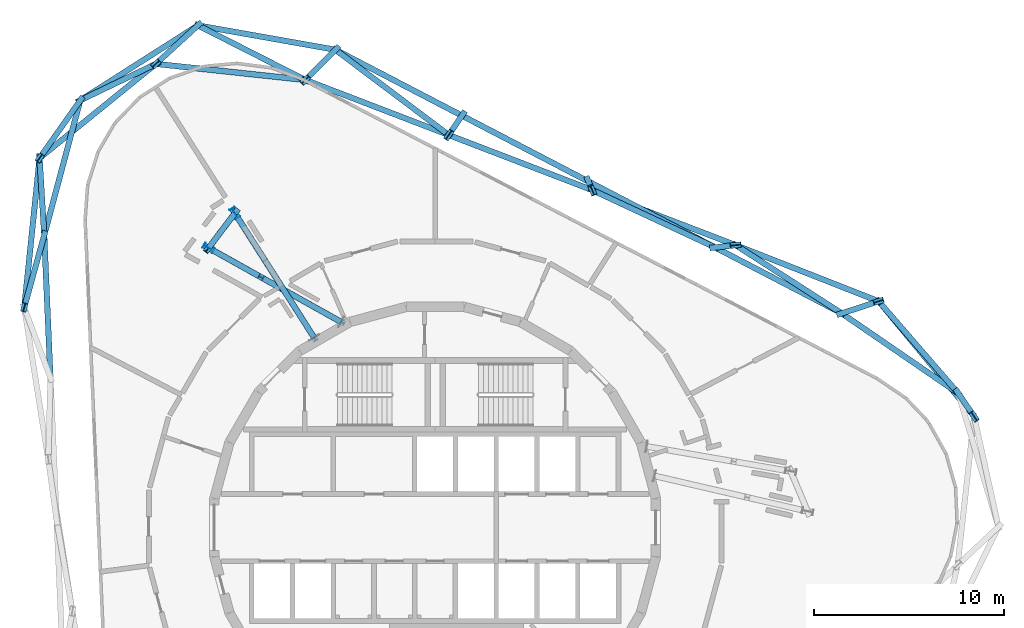
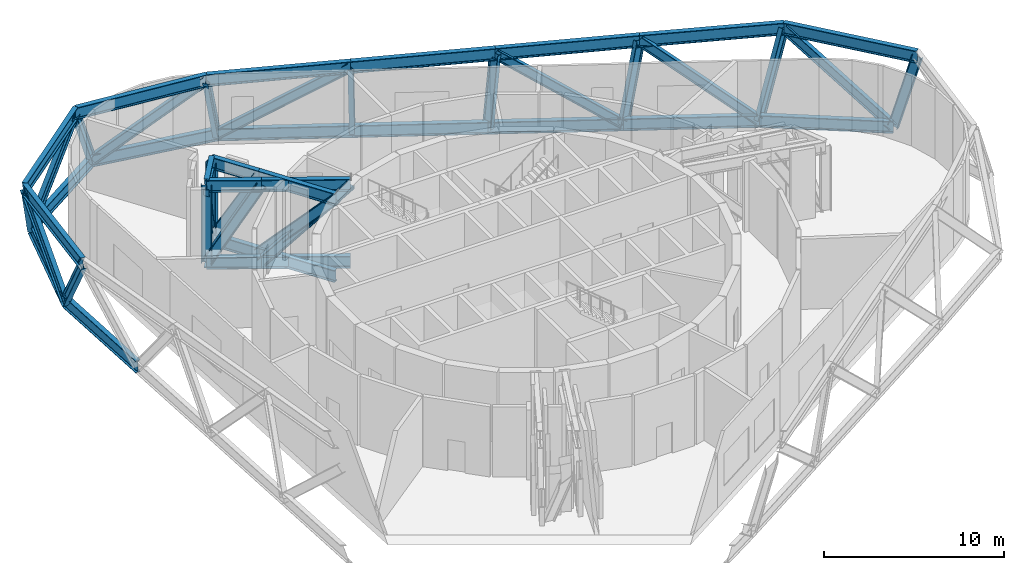
# One storey, part 3 of 12: 50 members.
"""IFC4 building model written with IfcOpenShell, lengths in metres."""

from ifc_helpers import new_model, si_unit, direction, frame, origin, origin_2d, place, context, subcontext, project, spatial, i_section, extrude, material, material_profile, profile_set, type_object, element, save


model = new_model("IFC4")

# Units and contexts
model_context = context("Model", 3, precision=1e-05, world=origin(), true_north=direction((0.0, 1.0)))
body_context = subcontext(model_context, "Body", "Model", "MODEL_VIEW")
ifc_project = project(units=[si_unit("LENGTHUNIT", "METRE"), si_unit("AREAUNIT", "SQUARE_METRE"), si_unit("VOLUMEUNIT", "CUBIC_METRE"), si_unit("PLANEANGLEUNIT", "RADIAN"), si_unit("MASSUNIT", "GRAM", prefix="KILO")], contexts=[model_context])

# Site, building, storey
site_placement = place(None, origin())
site = spatial("IfcSite", under=ifc_project, at=site_placement, CompositionType="ELEMENT")
building_placement = place(site_placement, origin())
building = spatial("IfcBuilding", under=site, at=building_placement, Name="Spindle Arch Residences", CompositionType="ELEMENT")
storey_placement = place(building_placement, frame((0.0, 0.0, 258.199951171875)))
storey = spatial("IfcBuildingStorey", under=building, at=storey_placement, Name="L66", CompositionType="ELEMENT", Elevation=258.199951171875)

# Members
ifc_material_1 = material(Name="Steel S460ML, intumescent coating R 240", Category="steel")
ifc_material_profile_1 = material_profile(ifc_material_1, i_section(OverallWidth=0.302978515625, OverallDepth=0.81396484375, WebThickness=0.02099609375, FlangeThickness=0.0400390625, FilletRadius=0.030029296875, at=origin_2d()), Name="HEM 800")
ifc_profile_set_1 = profile_set([ifc_material_profile_1], Name="Steel S460ML, intumescent coating R 240")
member_type_1 = type_object("IfcMemberType", Name="Belt truss chord HEM 800", PredefinedType="CHORD", material=ifc_profile_set_1)
member_1_placement = place(storey_placement, frame((27.598388671875, 7.089599609375, -0.85693359375), z_axis=(-0.824607095319, 0.565705876184, 0.0), x_axis=(-0.565705876184, -0.824607095319, 0.0)))
element("IfcMember", 1, at=member_1_placement, inside=storey, type_object=member_type_1, Name="Belt truss bottom chord L66.5", PredefinedType="CHORD", context=body_context, shape_type="SweptSolid", body=[
    extrude(i_section(OverallWidth=0.302978515625, OverallDepth=0.81396484375, WebThickness=0.02099609375, FlangeThickness=0.0400390625, FilletRadius=0.030029296875, at=origin_2d()), origin(), (0.0, 0.0, 1.0), 7.456298828125),
])
member_2_placement = place(storey_placement, frame((21.449951171875, 11.3076171875, -0.85693359375), z_axis=(-0.887019775052, 0.46173143565, 0.0), x_axis=(-0.46173143565, -0.887019775052, 0.0)))
element("IfcMember", 2, at=member_2_placement, inside=storey, type_object=member_type_1, Name="Belt truss bottom chord L66.6", PredefinedType="CHORD", context=body_context, shape_type="SweptSolid", body=[
    extrude(i_section(OverallWidth=0.302978515625, OverallDepth=0.81396484375, WebThickness=0.02099609375, FlangeThickness=0.0400390625, FilletRadius=0.030029296875, at=origin_2d()), origin(), (0.0, 0.0, 1.0), 7.530029296875),
])
member_3_placement = place(storey_placement, frame((14.770751953125, 14.784423828125, -0.85693359375), z_axis=(-0.887013408436, 0.461743666177, 0.0), x_axis=(-0.461743666177, -0.887013408436, 0.0)))
element("IfcMember", 3, at=member_3_placement, inside=storey, type_object=member_type_1, Name="Belt truss bottom chord L66.7", PredefinedType="CHORD", context=body_context, shape_type="SweptSolid", body=[
    extrude(i_section(OverallWidth=0.302978515625, OverallDepth=0.81396484375, WebThickness=0.02099609375, FlangeThickness=0.0400390625, FilletRadius=0.030029296875, at=origin_2d()), origin(), (0.0, 0.0, 1.0), 7.5302734375),
])
for number, where, z_axis, x_axis, name in (
    (4, (8.09130859375, 18.261474609375, -0.85693359375), (-0.88700649569, 0.461756945377, 0.0), (-0.461756945377, -0.88700649569, 0.0), "Belt truss bottom chord L66.8"),
    (5, (1.412109375, 21.738525390625, -0.85693359375), (-0.88700649569, 0.461756945377, 0.0), (-0.461756945377, -0.88700649569, 0.0), "Belt truss bottom chord L66.9"),
):
    element("IfcMember", number, at=place(storey_placement, frame(where, z_axis=z_axis, x_axis=x_axis)), inside=storey, type_object=member_type_1, Name=name, PredefinedType="CHORD", context=body_context, shape_type="SweptSolid", body=[
        extrude(i_section(OverallWidth=0.302978515625, OverallDepth=0.81396484375, WebThickness=0.02099609375, FlangeThickness=0.0400390625, FilletRadius=0.030029296875, at=origin_2d()), origin(), (0.0, 0.0, 1.0), 7.530029296875),
    ])
member_4_placement = place(storey_placement, frame((-5.26708984375, 25.215576171875, -0.85693359375), z_axis=(-0.984722428321, 0.17413138477, 0.0), x_axis=(-0.17413138477, -0.984722428321, 0.0)))
element("IfcMember", 6, at=member_4_placement, inside=storey, type_object=member_type_1, Name="Belt truss bottom chord L66.10", PredefinedType="CHORD", context=body_context, shape_type="SweptSolid", body=[
    extrude(i_section(OverallWidth=0.302978515625, OverallDepth=0.81396484375, WebThickness=0.02099609375, FlangeThickness=0.0400390625, FilletRadius=0.030029296875, at=origin_2d()), origin(), (0.0, 0.0, 1.0), 7.364990234375),
])
member_5_placement = place(storey_placement, frame((-12.51953125, 26.498046875, -0.85693359375), z_axis=(-0.843393561308, -0.53729628767, 0.0), x_axis=(0.53729628767, -0.843393561308, 0.0)))
element("IfcMember", 7, at=member_5_placement, inside=storey, type_object=member_type_1, Name="Belt truss bottom chord L66.11", PredefinedType="CHORD", context=body_context, shape_type="SweptSolid", body=[
    extrude(i_section(OverallWidth=0.302978515625, OverallDepth=0.81396484375, WebThickness=0.02099609375, FlangeThickness=0.0400390625, FilletRadius=0.030029296875, at=origin_2d()), origin(), (0.0, 0.0, 1.0), 7.35693359375),
])
member_6_placement = place(storey_placement, frame((-18.724365234375, 22.545166015625, -0.85693359375), z_axis=(-0.258329004998, -0.966056998928, 0.0), x_axis=(0.966056998928, -0.258329004998, 0.0)))
element("IfcMember", 8, at=member_6_placement, inside=storey, type_object=member_type_1, Name="Belt truss bottom chord L66.12", PredefinedType="CHORD", context=body_context, shape_type="SweptSolid", body=[
    extrude(i_section(OverallWidth=0.302978515625, OverallDepth=0.81396484375, WebThickness=0.02099609375, FlangeThickness=0.0400390625, FilletRadius=0.030029296875, at=origin_2d()), origin(), (0.0, 0.0, 1.0), 7.364990234375),
])
member_7_placement = place(storey_placement, frame((-20.626953125, 15.43017578125, -0.85693359375), z_axis=(0.043607469261, -0.999048741866, 0.0), x_axis=(0.999048741866, 0.043607469261, 0.0)))
element("IfcMember", 9, at=member_7_placement, inside=storey, type_object=member_type_1, Name="Belt truss bottom chord L66.13", PredefinedType="CHORD", context=body_context, shape_type="SweptSolid", body=[
    extrude(i_section(OverallWidth=0.302978515625, OverallDepth=0.81396484375, WebThickness=0.02099609375, FlangeThickness=0.0400390625, FilletRadius=0.030029296875, at=origin_2d()), origin(), (0.0, 0.0, 1.0), 7.530029296875),
])
member_8_placement = place(storey_placement, frame((28.43505859375, 5.86767578125, 4.343017578125), z_axis=(-0.63825315383, 0.769826546455, 0.0), x_axis=(-0.769826546455, -0.63825315383, 0.0)))
element("IfcMember", 10, at=member_8_placement, inside=storey, type_object=member_type_1, Name="Belt truss top chord L66.4", PredefinedType="CHORD", context=body_context, shape_type="SweptSolid", body=[
    extrude(i_section(OverallWidth=0.302978515625, OverallDepth=0.81396484375, WebThickness=0.02099609375, FlangeThickness=0.0400390625, FilletRadius=0.030029296875, at=origin_2d()), origin(), (0.0, 0.0, 1.0), 7.8916015625),
])
member_9_placement = place(storey_placement, frame((23.398193359375, 11.94287109375, 4.343017578125), z_axis=(-0.930817743536, 0.365483690906, 0.0), x_axis=(-0.365483690906, -0.930817743536, 0.0)))
element("IfcMember", 11, at=member_9_placement, inside=storey, type_object=member_type_1, Name="Belt truss top chord L66.5", PredefinedType="CHORD", context=body_context, shape_type="SweptSolid", body=[
    extrude(i_section(OverallWidth=0.302978515625, OverallDepth=0.81396484375, WebThickness=0.02099609375, FlangeThickness=0.0400390625, FilletRadius=0.030029296875, at=origin_2d()), origin(), (0.0, 0.0, 1.0), 8.10546875),
])
member_10_placement = place(storey_placement, frame((15.853515625, 14.9052734375, 4.343017578125), z_axis=(-0.933583655709, 0.358359537047, 0.0), x_axis=(-0.358359537047, -0.933583655709, 0.0)))
element("IfcMember", 12, at=member_10_placement, inside=storey, type_object=member_type_1, Name="Belt truss top chord L66.6", PredefinedType="CHORD", context=body_context, shape_type="SweptSolid", body=[
    extrude(i_section(OverallWidth=0.302978515625, OverallDepth=0.81396484375, WebThickness=0.02099609375, FlangeThickness=0.0400390625, FilletRadius=0.030029296875, at=origin_2d()), origin(), (0.0, 0.0, 1.0), 8.10791015625),
])
for number, where, z_axis, x_axis, name in (
    (13, (8.2841796875, 17.810791015625, 4.343017578125), (-0.933579788553, 0.358369611443, 0.0), (-0.358369611443, -0.933579788553, 0.0), "Belt truss top chord L66.7"),
    (14, (0.715087890625, 20.71630859375, 4.343017578125), (-0.933579788553, 0.358369611443, 0.0), (-0.358369611443, -0.933579788553, 0.0), "Belt truss top chord L66.8"),
):
    element("IfcMember", number, at=place(storey_placement, frame(where, z_axis=z_axis, x_axis=x_axis)), inside=storey, type_object=member_type_1, Name=name, PredefinedType="CHORD", context=body_context, shape_type="SweptSolid", body=[
        extrude(i_section(OverallWidth=0.302978515625, OverallDepth=0.81396484375, WebThickness=0.02099609375, FlangeThickness=0.0400390625, FilletRadius=0.030029296875, at=origin_2d()), origin(), (0.0, 0.0, 1.0), 8.107666015625),
    ])
member_11_placement = place(storey_placement, frame((-6.85400390625, 23.621826171875, 4.343017578125), z_axis=(-0.994275321982, 0.106848416453, 0.0), x_axis=(-0.106848416453, -0.994275321982, 0.0)))
element("IfcMember", 15, at=member_11_placement, inside=storey, type_object=member_type_1, Name="Belt truss top chord L66.9", PredefinedType="CHORD", context=body_context, shape_type="SweptSolid", body=[
    extrude(i_section(OverallWidth=0.302978515625, OverallDepth=0.81396484375, WebThickness=0.02099609375, FlangeThickness=0.0400390625, FilletRadius=0.030029296875, at=origin_2d()), origin(), (0.0, 0.0, 1.0), 7.9287109375),
])
member_12_placement = place(storey_placement, frame((-14.7373046875, 24.468994140625, 4.343017578125), z_axis=(-0.777154807983, -0.629309466343, 0.0), x_axis=(0.629309466343, -0.777154807983, 0.0)))
element("IfcMember", 16, at=member_12_placement, inside=storey, type_object=member_type_1, Name="Belt truss top chord L66.10", PredefinedType="CHORD", context=body_context, shape_type="SweptSolid", body=[
    extrude(i_section(OverallWidth=0.302978515625, OverallDepth=0.81396484375, WebThickness=0.02099609375, FlangeThickness=0.0400390625, FilletRadius=0.030029296875, at=origin_2d()), origin(), (0.0, 0.0, 1.0), 7.8916015625),
])
member_13_placement = place(storey_placement, frame((-20.870361328125, 19.502685546875, 4.343017578125), z_axis=(-0.102195279629, -0.994764356429, 0.0), x_axis=(0.994764356429, -0.102195279629, 0.0)))
element("IfcMember", 17, at=member_13_placement, inside=storey, type_object=member_type_1, Name="Belt truss top chord L66.11", PredefinedType="CHORD", context=body_context, shape_type="SweptSolid", body=[
    extrude(i_section(OverallWidth=0.302978515625, OverallDepth=0.81396484375, WebThickness=0.02099609375, FlangeThickness=0.0400390625, FilletRadius=0.030029296875, at=origin_2d()), origin(), (0.0, 0.0, 1.0), 7.928955078125),
])
ifc_material_2 = material(Name="Steel S460ML, intumescent coating R 240", Category="steel")
ifc_material_profile_2 = material_profile(ifc_material_2, i_section(OverallWidth=0.300048828125, OverallDepth=0.60009765625, WebThickness=0.015380859375, FlangeThickness=0.030029296875, FilletRadius=0.027099609375, at=origin_2d()), Name="HEB 600")
ifc_profile_set_2 = profile_set([ifc_material_profile_2], Name="Steel S460ML, intumescent coating R 240")
member_type_2 = type_object("IfcMemberType", Name="Belt truss diagonal HEB 600", PredefinedType="BRACE", material=ifc_profile_set_2)
member_14_placement = place(storey_placement, frame((27.598388671875, 7.089599609375, -0.85693359375), z_axis=(0.154746339807, -0.226001001089, 0.961757307133), x_axis=(0.825113115806, 0.564967562011, 0.0)))
element("IfcMember", 18, at=member_14_placement, inside=storey, type_object=member_type_2, Name="Belt truss diagonal L66.4.5", PredefinedType="BRACE", context=body_context, shape_type="SweptSolid", body=[
    extrude(i_section(OverallWidth=0.300048828125, OverallDepth=0.60009765625, WebThickness=0.015380859375, FlangeThickness=0.030029296875, FilletRadius=0.027099609375, at=origin_2d()), origin(), (0.0, 0.0, 1.0), 5.40673828125),
])
member_15_placement = place(storey_placement, frame((27.598388671875, 7.089599609375, -0.85693359375), z_axis=(-0.508469243629, 0.587529649738, 0.629498164383), x_axis=(-0.756149498445, -0.65439891198, 0.0)))
element("IfcMember", 19, at=member_15_placement, inside=storey, type_object=member_type_2, Name="Belt truss diagonal L66.5.5", PredefinedType="BRACE", context=body_context, shape_type="SweptSolid", body=[
    extrude(i_section(OverallWidth=0.300048828125, OverallDepth=0.60009765625, WebThickness=0.015380859375, FlangeThickness=0.030029296875, FilletRadius=0.027099609375, at=origin_2d()), origin(), (0.0, 0.0, 1.0), 8.260498046875),
])
member_16_placement = place(storey_placement, frame((21.449951171875, 11.3076171875, -0.85693359375), z_axis=(0.348575256175, 0.11365824769, 0.930363957553), x_axis=(-0.310001871252, 0.950735946423, 0.0)))
element("IfcMember", 20, at=member_16_placement, inside=storey, type_object=member_type_2, Name="Belt truss diagonal L66.5.6", PredefinedType="BRACE", context=body_context, shape_type="SweptSolid", body=[
    extrude(i_section(OverallWidth=0.300048828125, OverallDepth=0.60009765625, WebThickness=0.015380859375, FlangeThickness=0.030029296875, FilletRadius=0.027099609375, at=origin_2d()), origin(), (0.0, 0.0, 1.0), 5.589111328125),
])
member_17_placement = place(storey_placement, frame((21.449951171875, 11.3076171875, -0.85693359375), z_axis=(-0.662763339446, 0.426055951232, 0.615809290532), x_axis=(-0.54075202729, -0.841182052223, 0.0)))
element("IfcMember", 21, at=member_17_placement, inside=storey, type_object=member_type_2, Name="Belt truss diagonal L66.6.6", PredefinedType="BRACE", context=body_context, shape_type="SweptSolid", body=[
    extrude(i_section(OverallWidth=0.300048828125, OverallDepth=0.60009765625, WebThickness=0.015380859375, FlangeThickness=0.030029296875, FilletRadius=0.027099609375, at=origin_2d()), origin(), (0.0, 0.0, 1.0), 8.444091796875),
])
member_18_placement = place(storey_placement, frame((14.770751953125, 14.784423828125, -0.85693359375), z_axis=(0.20380055444, 0.022746623325, 0.978748141831), x_axis=(-0.110923412383, 0.993828957409, 0.0)))
element("IfcMember", 22, at=member_18_placement, inside=storey, type_object=member_type_2, Name="Belt truss diagonal L66.6.7", PredefinedType="BRACE", context=body_context, shape_type="SweptSolid", body=[
    extrude(i_section(OverallWidth=0.300048828125, OverallDepth=0.60009765625, WebThickness=0.015380859375, FlangeThickness=0.030029296875, FilletRadius=0.027099609375, at=origin_2d()), origin(), (0.0, 0.0, 1.0), 5.312744140625),
])
member_19_placement = place(storey_placement, frame((14.770751953125, 14.784423828125, -0.85693359375), z_axis=(-0.733173008679, 0.342068298227, 0.58774707034), x_axis=(-0.422805172485, -0.906220605659, 0.0)))
element("IfcMember", 23, at=member_19_placement, inside=storey, type_object=member_type_2, Name="Belt truss diagonal L66.7.7", PredefinedType="BRACE", context=body_context, shape_type="SweptSolid", body=[
    extrude(i_section(OverallWidth=0.300048828125, OverallDepth=0.60009765625, WebThickness=0.015380859375, FlangeThickness=0.030029296875, FilletRadius=0.027099609375, at=origin_2d()), origin(), (0.0, 0.0, 1.0), 8.84716796875),
])
member_20_placement = place(storey_placement, frame((8.09130859375, 18.261474609375, -0.85693359375), z_axis=(0.036927209934, -0.086288138655, 0.995585625797), x_axis=(0.91935098284, 0.393438394607, 0.0)))
element("IfcMember", 24, at=member_20_placement, inside=storey, type_object=member_type_2, Name="Belt truss diagonal L66.7.8", PredefinedType="BRACE", context=body_context, shape_type="SweptSolid", body=[
    extrude(i_section(OverallWidth=0.300048828125, OverallDepth=0.60009765625, WebThickness=0.015380859375, FlangeThickness=0.030029296875, FilletRadius=0.027099609375, at=origin_2d()), origin(), (0.0, 0.0, 1.0), 5.222900390625),
])
member_21_placement = place(storey_placement, frame((1.412109375, 21.738525390625, -0.85693359375), z_axis=(-0.130403449901, -0.191243168033, 0.972841709085), x_axis=(0.826206468482, -0.563367439101, 0.0)))
element("IfcMember", 25, at=member_21_placement, inside=storey, type_object=member_type_2, Name="Belt truss diagonal L66.8.9", PredefinedType="BRACE", context=body_context, shape_type="SweptSolid", body=[
    extrude(i_section(OverallWidth=0.300048828125, OverallDepth=0.60009765625, WebThickness=0.015380859375, FlangeThickness=0.030029296875, FilletRadius=0.027099609375, at=origin_2d()), origin(), (0.0, 0.0, 1.0), 5.34521484375),
])
member_22_placement = place(storey_placement, frame((-5.26708984375, 25.215576171875, -0.85693359375), z_axis=(0.656355157753, -0.493652581408, 0.570530486267), x_axis=(0.601079693901, 0.799189090003, 0.0)))
element("IfcMember", 26, at=member_22_placement, inside=storey, type_object=member_type_2, Name="Belt truss diagonal L66.8.10", PredefinedType="BRACE", context=body_context, shape_type="SweptSolid", body=[
    extrude(i_section(OverallWidth=0.300048828125, OverallDepth=0.60009765625, WebThickness=0.015380859375, FlangeThickness=0.030029296875, FilletRadius=0.027099609375, at=origin_2d()), origin(), (0.0, 0.0, 1.0), 9.1142578125),
])
member_23_placement = place(storey_placement, frame((-5.26708984375, 25.215576171875, -0.85693359375), z_axis=(-0.280101599827, -0.281308191334, 0.917828303803), x_axis=(0.708624870537, -0.705585425627, 0.0)))
element("IfcMember", 27, at=member_23_placement, inside=storey, type_object=member_type_2, Name="Belt truss diagonal L66.9.10", PredefinedType="BRACE", context=body_context, shape_type="SweptSolid", body=[
    extrude(i_section(OverallWidth=0.300048828125, OverallDepth=0.60009765625, WebThickness=0.015380859375, FlangeThickness=0.030029296875, FilletRadius=0.027099609375, at=origin_2d()), origin(), (0.0, 0.0, 1.0), 5.66552734375),
])
member_24_placement = place(storey_placement, frame((-12.51953125, 26.498046875, -0.85693359375), z_axis=(0.690044483351, -0.350315179624, 0.633338681845), x_axis=(0.452676849706, 0.891674643432, 0.0)))
element("IfcMember", 28, at=member_24_placement, inside=storey, type_object=member_type_2, Name="Belt truss diagonal L66.9.11", PredefinedType="BRACE", context=body_context, shape_type="SweptSolid", body=[
    extrude(i_section(OverallWidth=0.300048828125, OverallDepth=0.60009765625, WebThickness=0.015380859375, FlangeThickness=0.030029296875, FilletRadius=0.027099609375, at=origin_2d()), origin(), (0.0, 0.0, 1.0), 8.21044921875),
])
member_25_placement = place(storey_placement, frame((-12.51953125, 26.498046875, -0.85693359375), z_axis=(-0.369244137868, -0.337823429086, 0.865756373012), x_axis=(0.675018165523, -0.737801108845, 0.0)))
element("IfcMember", 29, at=member_25_placement, inside=storey, type_object=member_type_2, Name="Belt truss diagonal L66.10.11", PredefinedType="BRACE", context=body_context, shape_type="SweptSolid", body=[
    extrude(i_section(OverallWidth=0.300048828125, OverallDepth=0.60009765625, WebThickness=0.015380859375, FlangeThickness=0.030029296875, FilletRadius=0.027099609375, at=origin_2d()), origin(), (0.0, 0.0, 1.0), 6.00634765625),
])
member_26_placement = place(storey_placement, frame((-18.724365234375, 22.545166015625, -0.85693359375), z_axis=(0.58382988734, 0.281708377457, 0.761434864397), x_axis=(-0.43457324055, 0.900636496373, 0.0)))
element("IfcMember", 30, at=member_26_placement, inside=storey, type_object=member_type_2, Name="Belt truss diagonal L66.10.12", PredefinedType="BRACE", context=body_context, shape_type="SweptSolid", body=[
    extrude(i_section(OverallWidth=0.300048828125, OverallDepth=0.60009765625, WebThickness=0.015380859375, FlangeThickness=0.030029296875, FilletRadius=0.027099609375, at=origin_2d()), origin(), (0.0, 0.0, 1.0), 6.8291015625),
])
member_27_placement = place(storey_placement, frame((-18.724365234375, 22.545166015625, -0.85693359375), z_axis=(-0.335551683314, -0.475727540098, 0.813073413301), x_axis=(0.817174979903, -0.576389670466, 0.0)))
element("IfcMember", 31, at=member_27_placement, inside=storey, type_object=member_type_2, Name="Belt truss diagonal L66.11.12", PredefinedType="BRACE", context=body_context, shape_type="SweptSolid", body=[
    extrude(i_section(OverallWidth=0.300048828125, OverallDepth=0.60009765625, WebThickness=0.015380859375, FlangeThickness=0.030029296875, FilletRadius=0.027099609375, at=origin_2d()), origin(), (0.0, 0.0, 1.0), 6.3955078125),
])
member_28_placement = place(storey_placement, frame((-20.626953125, 15.43017578125, -0.85693359375), z_axis=(-0.036827618504, 0.616170014301, 0.786751701613), x_axis=(-0.998218628544, -0.059662128929, 0.0)))
element("IfcMember", 32, at=member_28_placement, inside=storey, type_object=member_type_2, Name="Belt truss diagonal L66.11.13", PredefinedType="BRACE", context=body_context, shape_type="SweptSolid", body=[
    extrude(i_section(OverallWidth=0.300048828125, OverallDepth=0.60009765625, WebThickness=0.015380859375, FlangeThickness=0.030029296875, FilletRadius=0.027099609375, at=origin_2d()), origin(), (0.0, 0.0, 1.0), 6.609375),
])
member_29_placement = place(storey_placement, frame((-20.626953125, 15.43017578125, -0.85693359375), z_axis=(-0.161246152776, -0.583788782039, 0.795732578308), x_axis=(0.963907503369, -0.26623734702, 0.0)))
element("IfcMember", 33, at=member_29_placement, inside=storey, type_object=member_type_2, Name="Belt truss diagonal L66.12.13", PredefinedType="BRACE", context=body_context, shape_type="SweptSolid", body=[
    extrude(i_section(OverallWidth=0.300048828125, OverallDepth=0.60009765625, WebThickness=0.015380859375, FlangeThickness=0.030029296875, FilletRadius=0.027099609375, at=origin_2d()), origin(), (0.0, 0.0, 1.0), 6.534912109375),
])
ifc_material_3 = material(Name="Steel S460ML, intumescent coating R 240", Category="steel")
ifc_material_profile_3 = material_profile(ifc_material_3, i_section(OverallWidth=0.302978515625, OverallDepth=0.81396484375, WebThickness=0.02099609375, FlangeThickness=0.0400390625, FilletRadius=0.030029296875, at=origin_2d()), Name="HEM 800")
ifc_profile_set_3 = profile_set([ifc_material_profile_3], Name="Steel S460ML, intumescent coating R 240")
member_type_3 = type_object("IfcMemberType", Name="Transfer truss chord HEM 800", PredefinedType="CHORD", material=ifc_profile_set_3)
for number, where, z_axis, x_axis, name in (
    (34, (-6.3984375, 10.043701171875, -0.85693359375), (-0.537331814196, 0.84337092756, 0.0), (-0.84337092756, -0.537331814196, 0.0), "Transfer truss chord L66"),
    (35, (-6.3984375, 10.043701171875, 4.343017578125), (-0.537331814196, 0.84337092756, 0.0), (-0.84337092756, -0.537331814196, 0.0), "Transfer truss chord L66"),
):
    element("IfcMember", number, at=place(storey_placement, frame(where, z_axis=z_axis, x_axis=x_axis)), inside=storey, type_object=member_type_3, Name=name, PredefinedType="CHORD", context=body_context, shape_type="SweptSolid", body=[
        extrude(i_section(OverallWidth=0.302978515625, OverallDepth=0.81396484375, WebThickness=0.02099609375, FlangeThickness=0.0400390625, FilletRadius=0.030029296875, at=origin_2d()), origin(), (0.0, 0.0, 1.0), 4.811279296875),
    ])
for number, where, z_axis, x_axis, name in (
    (36, (-8.983642578125, 14.101318359375, -0.85693359375), (-0.537309339991, 0.843385245993, 0.0), (-0.843385245993, -0.537309339991, 0.0), "Transfer truss chord L66"),
    (37, (-8.983642578125, 14.101318359375, 4.343017578125), (-0.537309339991, 0.843385245993, 0.0), (-0.843385245993, -0.537309339991, 0.0), "Transfer truss chord L66"),
):
    element("IfcMember", number, at=place(storey_placement, frame(where, z_axis=z_axis, x_axis=x_axis)), inside=storey, type_object=member_type_3, Name=name, PredefinedType="CHORD", context=body_context, shape_type="SweptSolid", body=[
        extrude(i_section(OverallWidth=0.302978515625, OverallDepth=0.81396484375, WebThickness=0.02099609375, FlangeThickness=0.0400390625, FilletRadius=0.030029296875, at=origin_2d()), origin(), (0.0, 0.0, 1.0), 2.948974609375),
    ])
for number, where, z_axis, x_axis, name in (
    (38, (-10.568115234375, 16.58837890625, -0.85693359375), (-0.603859737753, -0.797090595303, 0.0), (0.797090595303, -0.603859737753, 0.0), "Transfer truss chord L66"),
    (39, (-10.568115234375, 16.58837890625, 4.343017578125), (-0.603859737753, -0.797090595303, 0.0), (0.797090595303, -0.603859737753, 0.0), "Transfer truss chord L66"),
):
    element("IfcMember", number, at=place(storey_placement, frame(where, z_axis=z_axis, x_axis=x_axis)), inside=storey, type_object=member_type_3, Name=name, PredefinedType="CHORD", context=body_context, shape_type="SweptSolid", body=[
        extrude(i_section(OverallWidth=0.302978515625, OverallDepth=0.81396484375, WebThickness=0.02099609375, FlangeThickness=0.0400390625, FilletRadius=0.030029296875, at=origin_2d()), origin(), (0.0, 0.0, 1.0), 2.293212890625),
    ])
for number, where, z_axis, x_axis, name in (
    (40, (-4.980712890625, 10.8623046875, -0.85693359375), (-0.872828618927, 0.488026845554, 0.0), (-0.488026845554, -0.872828618927, 0.0), "Transfer truss chord L66"),
    (41, (-4.980712890625, 10.8623046875, 4.343017578125), (-0.872828618927, 0.488026845554, 0.0), (-0.488026845554, -0.872828618927, 0.0), "Transfer truss chord L66"),
):
    element("IfcMember", number, at=place(storey_placement, frame(where, z_axis=z_axis, x_axis=x_axis)), inside=storey, type_object=member_type_3, Name=name, PredefinedType="CHORD", context=body_context, shape_type="SweptSolid", body=[
        extrude(i_section(OverallWidth=0.302978515625, OverallDepth=0.81396484375, WebThickness=0.02099609375, FlangeThickness=0.0400390625, FilletRadius=0.030029296875, at=origin_2d()), origin(), (0.0, 0.0, 1.0), 4.95263671875),
    ])
for number, where, z_axis, x_axis, name in (
    (42, (-9.303466796875, 13.279296875, -0.85693359375), (-0.872852801624, 0.487983592651, 0.0), (-0.487983592651, -0.872852801624, 0.0), "Transfer truss chord L66"),
    (43, (-9.303466796875, 13.279296875, 4.343017578125), (-0.872852801624, 0.487983592651, 0.0), (-0.487983592651, -0.872852801624, 0.0), "Transfer truss chord L66"),
):
    element("IfcMember", number, at=place(storey_placement, frame(where, z_axis=z_axis, x_axis=x_axis)), inside=storey, type_object=member_type_3, Name=name, PredefinedType="CHORD", context=body_context, shape_type="SweptSolid", body=[
        extrude(i_section(OverallWidth=0.302978515625, OverallDepth=0.81396484375, WebThickness=0.02099609375, FlangeThickness=0.0400390625, FilletRadius=0.030029296875, at=origin_2d()), origin(), (0.0, 0.0, 1.0), 3.035400390625),
    ])
ifc_material_4 = material(Name="Steel S460ML, intumescent coating R 240", Category="steel")
ifc_material_profile_4 = material_profile(ifc_material_4, i_section(OverallWidth=0.304931640625, OverallDepth=0.6201171875, WebThickness=0.02099609375, FlangeThickness=0.0400390625, FilletRadius=0.027099609375, at=origin_2d()), Name="HEM 600")
ifc_profile_set_4 = profile_set([ifc_material_profile_4], Name="Steel S460ML, intumescent coating R 240")
member_type_4 = type_object("IfcMemberType", Name="Transfer truss diagonal HEM 600", PredefinedType="BRACE", material=ifc_profile_set_4)
member_30_placement = place(storey_placement, frame((-8.983642578125, 14.101318359375, -0.85693359375), z_axis=(0.364921315809, -0.572763459132, 0.734012570159), x_axis=(0.84337092756, 0.537331814196, 0.0)))
element("IfcMember", 44, at=member_30_placement, inside=storey, type_object=member_type_4, Name="Transfer truss diagonal L66", PredefinedType="BRACE", context=body_context, shape_type="SweptSolid", body=[
    extrude(i_section(OverallWidth=0.304931640625, OverallDepth=0.6201171875, WebThickness=0.02099609375, FlangeThickness=0.0400390625, FilletRadius=0.027099609375, at=origin_2d()), origin(), (0.0, 0.0, 1.0), 7.084228515625),
])
member_31_placement = place(storey_placement, frame((-10.568115234375, 16.58837890625, -0.85693359375), z_axis=(0.265054218331, -0.416041189852, 0.869859752886), x_axis=(0.843385245993, 0.537309339991, 0.0)))
element("IfcMember", 45, at=member_31_placement, inside=storey, type_object=member_type_4, Name="Transfer truss diagonal L66", PredefinedType="BRACE", context=body_context, shape_type="SweptSolid", body=[
    extrude(i_section(OverallWidth=0.304931640625, OverallDepth=0.6201171875, WebThickness=0.02099609375, FlangeThickness=0.0400390625, FilletRadius=0.027099609375, at=origin_2d()), origin(), (0.0, 0.0, 1.0), 5.97802734375),
])
member_32_placement = place(storey_placement, frame((-10.568115234375, 16.58837890625, -0.85693359375), z_axis=(-0.243661550692, -0.321631528566, 0.914976616393), x_axis=(0.797090595303, -0.603859737753, 0.0)))
element("IfcMember", 46, at=member_32_placement, inside=storey, type_object=member_type_4, Name="Transfer truss diagonal L66", PredefinedType="BRACE", context=body_context, shape_type="SweptSolid", body=[
    extrude(i_section(OverallWidth=0.304931640625, OverallDepth=0.6201171875, WebThickness=0.02099609375, FlangeThickness=0.0400390625, FilletRadius=0.027099609375, at=origin_2d()), origin(), (0.0, 0.0, 1.0), 5.68310546875),
])
member_33_placement = place(storey_placement, frame((-9.303466796875, 13.279296875, -0.85693359375), z_axis=(0.601966447021, -0.336579002909, 0.724120826562), x_axis=(0.488026845554, 0.872828618927, 0.0)))
element("IfcMember", 47, at=member_33_placement, inside=storey, type_object=member_type_4, Name="Transfer truss diagonal L66", PredefinedType="BRACE", context=body_context, shape_type="SweptSolid", body=[
    extrude(i_section(OverallWidth=0.304931640625, OverallDepth=0.6201171875, WebThickness=0.02099609375, FlangeThickness=0.0400390625, FilletRadius=0.027099609375, at=origin_2d()), origin(), (0.0, 0.0, 1.0), 7.18115234375),
])
member_34_placement = place(storey_placement, frame((-11.952880859375, 14.760498046875, -0.85693359375), z_axis=(0.440026463611, -0.246004474265, 0.863631003359), x_axis=(0.487983592651, 0.872852801624, 0.0)))
element("IfcMember", 48, at=member_34_placement, inside=storey, type_object=member_type_4, Name="Transfer truss diagonal L66", PredefinedType="BRACE", context=body_context, shape_type="SweptSolid", body=[
    extrude(i_section(OverallWidth=0.304931640625, OverallDepth=0.6201171875, WebThickness=0.02099609375, FlangeThickness=0.0400390625, FilletRadius=0.027099609375, at=origin_2d()), origin(), (0.0, 0.0, 1.0), 6.02099609375),
])
ifc_material_5 = material(Name="Steel S460ML, intumescent coating R 240", Category="steel")
ifc_material_profile_5 = material_profile(ifc_material_5, i_section(OverallWidth=0.300048828125, OverallDepth=0.60009765625, WebThickness=0.015380859375, FlangeThickness=0.030029296875, FilletRadius=0.027099609375, at=origin_2d()), Name="HEB 600")
ifc_profile_set_5 = profile_set([ifc_material_profile_5], Name="Steel S460ML, intumescent coating R 240")
member_type_5 = type_object("IfcMemberType", Name="Transfer truss post HEB 600", PredefinedType="POST", material=ifc_profile_set_5)
member_35_placement = place(storey_placement, frame((-10.568115234375, 16.58837890625, -0.449951171875), z_axis=(0.0, 0.0, 1.0), x_axis=(0.843390900108, 0.53730046493, 0.0)))
element("IfcMember", 49, at=member_35_placement, inside=storey, type_object=member_type_5, Name="Transfer truss post L66", PredefinedType="POST", context=body_context, shape_type="SweptSolid", body=[
    extrude(i_section(OverallWidth=0.300048828125, OverallDepth=0.60009765625, WebThickness=0.015380859375, FlangeThickness=0.030029296875, FilletRadius=0.027099609375, at=origin_2d()), origin(), (0.0, 0.0, 1.0), 4.79296875),
])
member_36_placement = place(storey_placement, frame((-11.952880859375, 14.760498046875, -0.85693359375), z_axis=(0.0, 0.0, 1.0), x_axis=(0.488004948698, 0.872840861811, 0.0)))
element("IfcMember", 50, at=member_36_placement, inside=storey, type_object=member_type_5, Name="Transfer truss post L66", PredefinedType="POST", context=body_context, shape_type="SweptSolid", body=[
    extrude(i_section(OverallWidth=0.300048828125, OverallDepth=0.60009765625, WebThickness=0.015380859375, FlangeThickness=0.030029296875, FilletRadius=0.027099609375, at=origin_2d()), origin(), (0.0, 0.0, 1.0), 5.199951171875),
])

save(model, "model.ifc")
